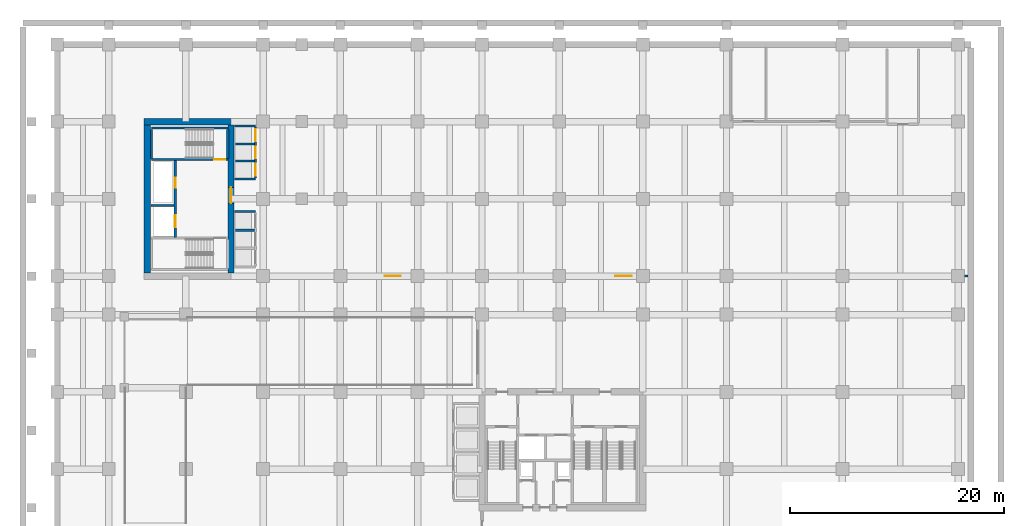
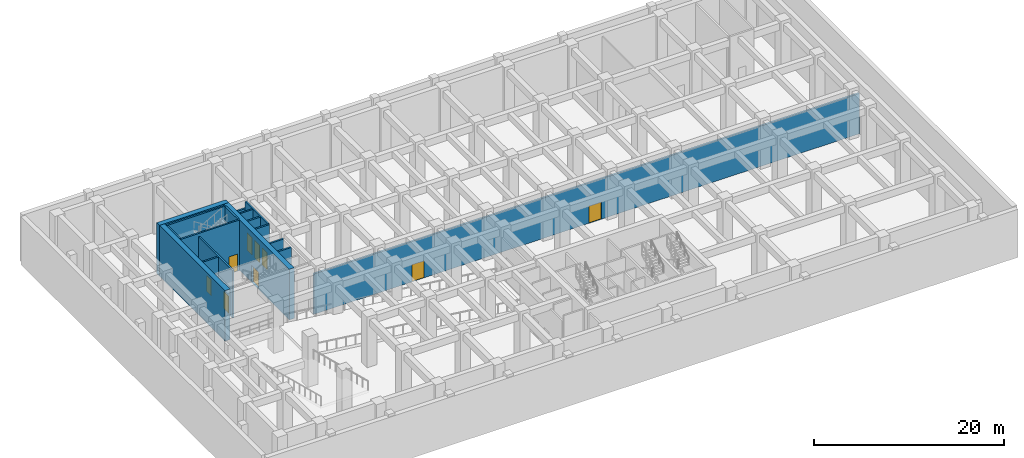
# One storey, part 6 of 13: 17 walls, 9 doors, 9 openings.
"""IFC4 building model written with IfcOpenShell, lengths in metres."""

from ifc_helpers import new_model, si_unit, derived_unit, direction, frame, frame_2d, origin, place, context, subcontext, project, spatial, rectangle, extrude, source, transform, mapped, material, layer, layer_set, type_object, type_shapes, element, fill, save


model = new_model("IFC4")

# Units and contexts
model_context = context("Model", 3, precision=1e-05, world=origin(), true_north=direction((0.0, 1.0)))
body_context = subcontext(model_context, "Body", "Model", "MODEL_VIEW")
ifc_project = project(units=[si_unit("LENGTHUNIT", "METRE"), si_unit("AREAUNIT", "SQUARE_METRE"), si_unit("VOLUMEUNIT", "CUBIC_METRE"), si_unit("PLANEANGLEUNIT", "RADIAN"), si_unit("MASSUNIT", "GRAM", prefix="KILO"), si_unit("THERMODYNAMICTEMPERATUREUNIT", "KELVIN"), si_unit("POWERUNIT", "WATT"), derived_unit("THERMALTRANSMITTANCEUNIT", [(si_unit("POWERUNIT", "WATT"), 1), (si_unit("AREAUNIT", "SQUARE_METRE"), -1), (si_unit("THERMODYNAMICTEMPERATUREUNIT", "KELVIN"), -1)])], contexts=[model_context])

# Site, building, storey
site_placement = place(None, origin())
site = spatial("IfcSite", under=ifc_project, at=site_placement, CompositionType="ELEMENT")
building_placement = place(site_placement, origin())
building = spatial("IfcBuilding", under=site, at=building_placement, Name="Zahravan Archway Hotel and Residences", CompositionType="ELEMENT")
storey_placement = place(building_placement, frame((0.0, 0.0, -6.5)))
storey = spatial("IfcBuildingStorey", under=building, at=storey_placement, Name="B01", CompositionType="ELEMENT", Elevation=-6.5)

# Walls
ifc_material_1 = material(Name="Concrete C70/85", Category="concrete")
ifc_layer_1 = layer(ifc_material_1, 0.60009765625, Name="Concrete C70/85", Category="concrete")
ifc_layer_set_1 = layer_set([ifc_layer_1], Name="Concrete C70/85")
wall_type_1 = type_object("IfcWallType", Name="CW-CORE-600", PredefinedType="SHEAR", material=ifc_layer_set_1)
wall_1_placement = place(storey_placement, frame((3.300048828125, 39.60009765625, 0.0), z_axis=(0.0, 0.0, 1.0), x_axis=(1.0, 0.0, 0.0)))
element("IfcWall", 1, at=wall_1_placement, inside=storey, type_object=wall_type_1, Name="B01 Core B Shear N Wall 600 mm", PredefinedType="SHEAR", context=body_context, shape_type="SweptSolid", body=[
    extrude(rectangle(XDim=8.39990234375, YDim=0.60009765625, at=frame_2d((4.199951171875, 0.0))), origin(), (0.0, 0.0, 1.0), 6.5),
])
wall_2_placement = place(storey_placement, frame((3.60009765625, 25.5, 0.0), z_axis=(0.0, 0.0, 1.0), x_axis=(0.0, 1.0, 0.0)))
element("IfcWall", 2, at=wall_2_placement, inside=storey, type_object=wall_type_1, Name="B01 Core B Shear W Wall 600 mm", PredefinedType="SHEAR", context=body_context, shape_type="SweptSolid", body=[
    extrude(rectangle(XDim=13.800048828125, YDim=0.60009765625, at=frame_2d((6.89990234375, 0.0))), origin(), (0.0, 0.0, 1.0), 6.5),
])

# Wall, opening, door
wall_3_placement = place(storey_placement, frame((11.39990234375, 25.5, 0.0), z_axis=(0.0, 0.0, 1.0), x_axis=(0.0, 1.0, 0.0)))
wall_3 = element("IfcWall", 3, at=wall_3_placement, inside=storey, type_object=wall_type_1, Name="B01 Core B Shear E Wall 600 mm", PredefinedType="SHEAR", context=body_context, shape_type="SweptSolid", body=[
    extrude(rectangle(XDim=13.800048828125, YDim=0.60009765625, at=frame_2d((6.89990234375, 0.0))), origin(), (0.0, 0.0, 1.0), 6.5),
])
opening_1_placement = place(wall_3_placement, frame((6.469970703125, 0.0, 0.0)))
opening_1 = element("IfcOpeningElement", 4, at=opening_1_placement, cuts=wall_3, Name="Opening FD-L1", PredefinedType="OPENING", context=body_context, shape_type="SweptSolid", body=[
    extrude(rectangle(XDim=1.5, YDim=2.199951171875, at=frame_2d((0.75, 1.10009765625))), frame((0.0, 0.31005859375, 0.0), z_axis=(0.0, -1.0, 0.0), x_axis=(1.0, 0.0, 0.0)), (0.0, 0.0, 1.0), 0.6201171875),
])
ifc_material_2 = material(Name="Fire-Rated Painted Steel", Category="steel")
door_type_1 = type_object("IfcDoorType", Name="FD-LOBBY-1500", OperationType="DOUBLE_DOOR_SINGLE_SWING", PredefinedType="DOOR", material=ifc_material_2)
shared_shape_1 = source(origin(), body_context, "Body", "SweptSolid", [
    extrude(rectangle(XDim=1.5, YDim=2.199951171875, at=frame_2d((0.75, 1.10009765625))), frame((0.0, 0.02490234375, 0.0), z_axis=(0.0, -1.0, 0.0), x_axis=(1.0, 0.0, 0.0)), (0.0, 0.0, 1.0), 0.050048828125),
])
type_shapes(door_type_1, [shared_shape_1])
door_1_placement = place(opening_1_placement, origin())
door_1 = element("IfcDoor", 5, at=door_1_placement, inside=storey, type_object=door_type_1, Name="B01 Core B FSAE Lobby Door", OperationType="DOUBLE_DOOR_SINGLE_SWING", OverallHeight=2.199951171875, OverallWidth=1.5, PredefinedType="DOOR", context=body_context, shape_type="MappedRepresentation", body=[
    mapped(shared_shape_1, transform((0.0, 0.0, 0.0), scale=1.0)),
])
fill(opening_1, door_1)

# Wall, openings, doors
ifc_material_3 = material(Name="Fire-Rated Gypsum & Concrete Block", Category="concrete")
ifc_layer_2 = layer(ifc_material_3, 0.219970703125, Name="Fire-Rated Gypsum & Concrete Block", Category="concrete")
ifc_layer_set_2 = layer_set([ifc_layer_2], Name="Fire-Rated Gypsum & Concrete Block")
wall_type_2 = type_object("IfcWallType", Name="PW-COMP-220", PredefinedType="PARTITIONING", material=ifc_layer_set_2)
wall_4_placement = place(storey_placement, frame((13.840087890625, 25.199951171875, 0.0), z_axis=(0.0, 0.0, 1.0), x_axis=(1.0, 0.0, 0.0)))
wall_4 = element("IfcWall", 6, at=wall_4_placement, inside=storey, type_object=wall_type_2, Name="B01 Partition B1-MEZ", PredefinedType="PARTITIONING", context=body_context, shape_type="SweptSolid", body=[
    extrude(rectangle(XDim=66.27685546875, YDim=0.219970703125, at=frame_2d((33.138427734375, 0.0))), origin(), (0.0, 0.0, 1.0), 5.18505859375),
])
opening_2_placement = place(wall_4_placement, frame((11.909912109375, 0.0, 0.0)))
opening_2 = element("IfcOpeningElement", 7, at=opening_2_placement, cuts=wall_4, Name="Opening FD-L1", PredefinedType="OPENING", context=body_context, shape_type="SweptSolid", body=[
    extrude(rectangle(XDim=1.5, YDim=2.199951171875, at=frame_2d((0.75, 1.10009765625))), frame((0.0, 0.1201171875, 0.0), z_axis=(0.0, -1.0, 0.0), x_axis=(1.0, 0.0, 0.0)), (0.0, 0.0, 1.0), 0.239990234375),
])
opening_3_placement = place(wall_4_placement, frame((33.409912109375, 0.0, 0.0)))
opening_3 = element("IfcOpeningElement", 8, at=opening_3_placement, cuts=wall_4, Name="Opening FD-L1", PredefinedType="OPENING", context=body_context, shape_type="SweptSolid", body=[
    extrude(rectangle(XDim=1.5, YDim=2.199951171875, at=frame_2d((0.75, 1.10009765625))), frame((0.0, 0.1201171875, 0.0), z_axis=(0.0, -1.0, 0.0), x_axis=(1.0, 0.0, 0.0)), (0.0, 0.0, 1.0), 0.239990234375),
])
door_2_placement = place(opening_2_placement, origin())
door_2 = element("IfcDoor", 9, at=door_2_placement, inside=storey, type_object=door_type_1, Name="B01 Car Park to Mezzanine West Door", OperationType="DOUBLE_DOOR_SINGLE_SWING", OverallHeight=2.199951171875, OverallWidth=1.5, PredefinedType="DOOR", context=body_context, shape_type="MappedRepresentation", body=[
    mapped(shared_shape_1, transform((0.0, 0.0, 0.0), scale=1.0)),
])
fill(opening_2, door_2)
door_3_placement = place(opening_3_placement, origin())
door_3 = element("IfcDoor", 10, at=door_3_placement, inside=storey, type_object=door_type_1, Name="B01 Car Park to Mezzanine East Door", OperationType="DOUBLE_DOOR_SINGLE_SWING", OverallHeight=2.199951171875, OverallWidth=1.5, PredefinedType="DOOR", context=body_context, shape_type="MappedRepresentation", body=[
    mapped(shared_shape_1, transform((0.0, 0.0, 0.0), scale=1.0)),
])
fill(opening_3, door_3)

ifc_layer_3 = layer(ifc_material_3, 0.199951171875, Name="Fire-Rated Gypsum & Concrete Block", Category="concrete")
ifc_layer_set_3 = layer_set([ifc_layer_3], Name="Fire-Rated Gypsum & Concrete Block")
wall_type_3 = type_object("IfcWallType", Name="PW-SHAFT-200", PredefinedType="PARTITIONING", material=ifc_layer_set_3)
wall_5_placement = place(storey_placement, frame((6.199951171875, 28.7900390625, 0.0), z_axis=(0.0, 0.0, 1.0), x_axis=(0.0, 1.0, 0.0)))
wall_5 = element("IfcWall", 11, at=wall_5_placement, inside=storey, type_object=wall_type_3, Name="B01 Partition CB-FL3E", PredefinedType="PARTITIONING", context=body_context, shape_type="SweptSolid", body=[
    extrude(rectangle(XDim=7.219970703125, YDim=0.199951171875, at=frame_2d((3.60986328125, 0.0))), origin(), (0.0, 0.0, 1.0), 6.10009765625),
])
opening_4_placement = place(wall_5_placement, frame((4.659912109375, 0.0, 0.0)))
opening_4 = element("IfcOpeningElement", 12, at=opening_4_placement, cuts=wall_5, Name="Opening FD-R1", PredefinedType="OPENING", context=body_context, shape_type="SweptSolid", body=[
    extrude(rectangle(XDim=0.89990234375, YDim=2.10009765625, at=frame_2d((0.449951171875, 1.050048828125))), frame((0.0, 0.10986328125, 0.0), z_axis=(0.0, -1.0, 0.0), x_axis=(1.0, 0.0, 0.0)), (0.0, 0.0, 1.0), 0.219970703125),
])
opening_5_placement = place(wall_5_placement, frame((0.9599609375, 0.0, 0.0)))
opening_5 = element("IfcOpeningElement", 13, at=opening_5_placement, cuts=wall_5, Name="Opening LD", PredefinedType="OPENING", context=body_context, shape_type="SweptSolid", body=[
    extrude(rectangle(XDim=1.10009765625, YDim=2.199951171875, at=frame_2d((0.550048828125, 1.10009765625))), frame((0.0, 0.10986328125, 0.0), z_axis=(0.0, -1.0, 0.0), x_axis=(1.0, 0.0, 0.0)), (0.0, 0.0, 1.0), 0.219970703125),
])
door_type_2 = type_object("IfcDoorType", Name="FD-RISER-900", OperationType="NOTDEFINED", PredefinedType="DOOR", material=ifc_material_2)
shared_shape_2 = source(origin(), body_context, "Body", "SweptSolid", [
    extrude(rectangle(XDim=0.89990234375, YDim=2.10009765625, at=frame_2d((0.449951171875, 1.050048828125))), frame((0.0, 0.02490234375, 0.0), z_axis=(0.0, -1.0, 0.0), x_axis=(1.0, 0.0, 0.0)), (0.0, 0.0, 1.0), 0.050048828125),
])
type_shapes(door_type_2, [shared_shape_2])
door_4_placement = place(opening_4_placement, origin())
door_4 = element("IfcDoor", 14, at=door_4_placement, inside=storey, type_object=door_type_2, Name="B01 Core B Riser Door", OperationType="SINGLE_SWING_LEFT", OverallHeight=2.10009765625, OverallWidth=0.89990234375, PredefinedType="DOOR", context=body_context, shape_type="MappedRepresentation", body=[
    mapped(shared_shape_2, transform((0.0, 0.0, 0.0), scale=1.0)),
])
fill(opening_4, door_4)
ifc_material_4 = material(Name="Brushed Stainless Steel", Category="steel")
door_type_3 = type_object("IfcDoorType", Name="DR-LIFT-LD", OperationType="SLIDING_TO_LEFT", PredefinedType="DOOR", material=ifc_material_4)
shared_shape_3 = source(origin(), body_context, "Body", "SweptSolid", [
    extrude(rectangle(XDim=1.10009765625, YDim=2.199951171875, at=frame_2d((0.550048828125, 1.10009765625))), frame((0.0, 0.02490234375, 0.0), z_axis=(0.0, -1.0, 0.0), x_axis=(1.0, 0.0, 0.0)), (0.0, 0.0, 1.0), 0.050048828125),
])
type_shapes(door_type_3, [shared_shape_3])
door_5_placement = place(opening_5_placement, origin())
door_5 = element("IfcDoor", 15, at=door_5_placement, inside=storey, type_object=door_type_3, Name="B01 Lift FL-3 Sliding Landing Door", OperationType="SLIDING_TO_LEFT", OverallHeight=2.199951171875, OverallWidth=1.10009765625, PredefinedType="DOOR", context=body_context, shape_type="MappedRepresentation", body=[
    mapped(shared_shape_3, transform((0.0, 0.0, 0.0), scale=1.0)),
])
fill(opening_5, door_5)

# Walls
wall_6_placement = place(storey_placement, frame((3.9599609375, 31.780029296875, 0.0), z_axis=(0.0, 0.0, 1.0), x_axis=(1.0, 0.0, 0.0)))
element("IfcWall", 16, at=wall_6_placement, inside=storey, type_object=wall_type_3, Name="B01 Partition CB-FL3N", PredefinedType="PARTITIONING", context=body_context, shape_type="SweptSolid", body=[
    extrude(rectangle(XDim=2.130126953125, YDim=0.199951171875, at=frame_2d((1.06494140625, 0.0))), origin(), (0.0, 0.0, 1.0), 6.10009765625),
])
wall_7_placement = place(storey_placement, frame((11.7099609375, 31.2099609375, 0.0), z_axis=(0.0, 0.0, 1.0), x_axis=(1.0, 0.0, 0.0)))
element("IfcWall", 17, at=wall_7_placement, inside=storey, type_object=wall_type_3, Name="B01 Partition B1-N", PredefinedType="PARTITIONING", context=body_context, shape_type="SweptSolid", body=[
    extrude(rectangle(XDim=1.9599609375, YDim=0.199951171875, at=frame_2d((0.97998046875, 0.0))), origin(), (0.0, 0.0, 1.0), 6.10009765625),
])
wall_8_placement = place(storey_placement, frame((11.81005859375, 29.469970703125, 0.0), z_axis=(0.0, 0.0, 1.0), x_axis=(1.0, 0.0, 0.0)))
element("IfcWall", 18, at=wall_8_placement, inside=storey, type_object=wall_type_3, Name="B01 Partition B1-D", PredefinedType="PARTITIONING", context=body_context, shape_type="SweptSolid", body=[
    extrude(rectangle(XDim=1.760009765625, YDim=0.199951171875, at=frame_2d((0.8798828125, 0.0))), origin(), (0.0, 0.0, 1.0), 6.10009765625),
])
wall_9_placement = place(storey_placement, frame((11.7099609375, 34.25, 0.0), z_axis=(0.0, 0.0, 1.0), x_axis=(1.0, 0.0, 0.0)))
element("IfcWall", 19, at=wall_9_placement, inside=storey, type_object=wall_type_3, Name="B01 Partition B2-S", PredefinedType="PARTITIONING", context=body_context, shape_type="SweptSolid", body=[
    extrude(rectangle(XDim=1.9599609375, YDim=0.199951171875, at=frame_2d((0.97998046875, 0.0))), origin(), (0.0, 0.0, 1.0), 6.10009765625),
])
wall_10_placement = place(storey_placement, frame((11.7099609375, 39.18994140625, 0.0), z_axis=(0.0, 0.0, 1.0), x_axis=(1.0, 0.0, 0.0)))
element("IfcWall", 20, at=wall_10_placement, inside=storey, type_object=wall_type_3, Name="B01 Partition B2-N", PredefinedType="PARTITIONING", context=body_context, shape_type="SweptSolid", body=[
    extrude(rectangle(XDim=1.9599609375, YDim=0.199951171875, at=frame_2d((0.97998046875, 0.0))), origin(), (0.0, 0.0, 1.0), 5.18505859375),
])

# Wall, openings, doors
wall_11_placement = place(storey_placement, frame((13.679931640625, 34.360107421875, 0.0), z_axis=(0.0, 0.0, 1.0), x_axis=(0.0, 1.0, 0.0)))
wall_11 = element("IfcWall", 21, at=wall_11_placement, inside=storey, type_object=wall_type_3, Name="B01 Partition B2-E", PredefinedType="PARTITIONING", context=body_context, shape_type="SweptSolid", body=[
    extrude(rectangle(XDim=4.719970703125, YDim=0.199951171875, at=frame_2d((2.35986328125, 0.0))), origin(), (0.0, 0.0, 1.0), 6.10009765625),
])
opening_6_placement = place(wall_11_placement, frame((0.2099609375, 0.0, 0.0)))
opening_6 = element("IfcOpeningElement", 22, at=opening_6_placement, cuts=wall_11, Name="Opening LD", PredefinedType="OPENING", context=body_context, shape_type="SweptSolid", body=[
    extrude(rectangle(XDim=1.10009765625, YDim=2.199951171875, at=frame_2d((0.550048828125, 1.10009765625))), frame((0.0, 0.10986328125, 0.0), z_axis=(0.0, -1.0, 0.0), x_axis=(1.0, 0.0, 0.0)), (0.0, 0.0, 1.0), 0.219970703125),
])
opening_7_placement = place(wall_11_placement, frame((1.81005859375, 0.0, 0.0)))
opening_7 = element("IfcOpeningElement", 23, at=opening_7_placement, cuts=wall_11, Name="Opening LD", PredefinedType="OPENING", context=body_context, shape_type="SweptSolid", body=[
    extrude(rectangle(XDim=1.10009765625, YDim=2.199951171875, at=frame_2d((0.550048828125, 1.10009765625))), frame((0.0, 0.10986328125, 0.0), z_axis=(0.0, -1.0, 0.0), x_axis=(1.0, 0.0, 0.0)), (0.0, 0.0, 1.0), 0.219970703125),
])
opening_8_placement = place(wall_11_placement, frame((3.409912109375, 0.0, 0.0)))
opening_8 = element("IfcOpeningElement", 24, at=opening_8_placement, cuts=wall_11, Name="Opening LD", PredefinedType="OPENING", context=body_context, shape_type="SweptSolid", body=[
    extrude(rectangle(XDim=1.10009765625, YDim=2.199951171875, at=frame_2d((0.550048828125, 1.10009765625))), frame((0.0, 0.10986328125, 0.0), z_axis=(0.0, -1.0, 0.0), x_axis=(1.0, 0.0, 0.0)), (0.0, 0.0, 1.0), 0.219970703125),
])
door_6_placement = place(opening_6_placement, origin())
door_6 = element("IfcDoor", 25, at=door_6_placement, inside=storey, type_object=door_type_3, Name="B01 Lift LP-4 Sliding Landing Door", OperationType="SLIDING_TO_LEFT", OverallHeight=2.199951171875, OverallWidth=1.10009765625, PredefinedType="DOOR", context=body_context, shape_type="MappedRepresentation", body=[
    mapped(shared_shape_3, transform((0.0, 0.0, 0.0), scale=1.0)),
])
fill(opening_6, door_6)
door_7_placement = place(opening_7_placement, origin())
door_7 = element("IfcDoor", 26, at=door_7_placement, inside=storey, type_object=door_type_3, Name="B01 Lift LP-5 Sliding Landing Door", OperationType="SLIDING_TO_LEFT", OverallHeight=2.199951171875, OverallWidth=1.10009765625, PredefinedType="DOOR", context=body_context, shape_type="MappedRepresentation", body=[
    mapped(shared_shape_3, transform((0.0, 0.0, 0.0), scale=1.0)),
])
fill(opening_7, door_7)
door_8_placement = place(opening_8_placement, origin())
door_8 = element("IfcDoor", 27, at=door_8_placement, inside=storey, type_object=door_type_3, Name="B01 Lift LP-6 Sliding Landing Door", OperationType="SLIDING_TO_LEFT", OverallHeight=2.199951171875, OverallWidth=1.10009765625, PredefinedType="DOOR", context=body_context, shape_type="MappedRepresentation", body=[
    mapped(shared_shape_3, transform((0.0, 0.0, 0.0), scale=1.0)),
])
fill(opening_8, door_8)

# Walls
for number, where, z_axis, x_axis, name in (
    (28, (11.81005859375, 35.919921875, 0.0), (0.0, 0.0, 1.0), (1.0, 0.0, 0.0), "B01 Partition B2-D"),
    (29, (11.81005859375, 37.52001953125, 0.0), (0.0, 0.0, 1.0), (1.0, 0.0, 0.0), "B01 Partition B2-D"),
):
    element("IfcWall", number, at=place(storey_placement, frame(where, z_axis=z_axis, x_axis=x_axis)), inside=storey, type_object=wall_type_3, Name=name, PredefinedType="PARTITIONING", context=body_context, shape_type="SweptSolid", body=[
        extrude(rectangle(XDim=1.760009765625, YDim=0.199951171875, at=frame_2d((0.8798828125, 0.0))), origin(), (0.0, 0.0, 1.0), 6.10009765625),
    ])
ifc_material_5 = material(Name="Concrete C50/60", Category="concrete")
ifc_layer_4 = layer(ifc_material_5, 0.199951171875, Name="Concrete C50/60", Category="concrete")
ifc_layer_set_4 = layer_set([ifc_layer_4], Name="Concrete C50/60")
wall_type_4 = type_object("IfcWallType", Name="SW-STAIR-200", PredefinedType="SHEAR", material=ifc_layer_set_4)
wall_12_placement = place(storey_placement, frame((4.0, 39.0, 0.0), z_axis=(0.0, 0.0, 1.0), x_axis=(1.0, 0.0, 0.0)))
element("IfcWall", 30, at=wall_12_placement, inside=storey, type_object=wall_type_4, Name="B01 Stairwell RC Wall CB-SB2N", PredefinedType="SHEAR", context=body_context, shape_type="SweptSolid", body=[
    extrude(rectangle(XDim=7.10009765625, YDim=0.199951171875, at=frame_2d((3.550048828125, 0.0))), origin(), (0.0, 0.0, 1.0), 6.5),
])
for number, where, z_axis, x_axis, name in (
    (31, (4.0, 36.179931640625, 0.0), (0.0, 0.0, 1.0), (0.0, 1.0, 0.0), "B01 Stairwell RC Wall CB-SB2W"),
    (32, (11.10009765625, 36.179931640625, 0.0), (0.0, 0.0, 1.0), (0.0, 1.0, 0.0), "B01 Stairwell RC Wall CB-SB2E"),
):
    element("IfcWall", number, at=place(storey_placement, frame(where, z_axis=z_axis, x_axis=x_axis)), inside=storey, type_object=wall_type_4, Name=name, PredefinedType="SHEAR", context=body_context, shape_type="SweptSolid", body=[
        extrude(rectangle(XDim=2.699951171875, YDim=0.199951171875, at=frame_2d((1.35009765625, 0.0))), origin(), (0.0, 0.0, 1.0), 6.5),
    ])

# Wall, opening, door
wall_13_placement = place(storey_placement, frame((4.0, 36.06005859375, 0.0), z_axis=(0.0, 0.0, 1.0), x_axis=(1.0, 0.0, 0.0)))
wall_13 = element("IfcWall", 33, at=wall_13_placement, inside=storey, type_object=wall_type_4, Name="B01 Stairwell RC Wall CB-SB2S", PredefinedType="SHEAR", context=body_context, shape_type="SweptSolid", body=[
    extrude(rectangle(XDim=7.10009765625, YDim=0.199951171875, at=frame_2d((3.550048828125, 0.0))), origin(), (0.0, 0.0, 1.0), 6.5),
])
opening_9_placement = place(wall_13_placement, frame((5.81494140625, 0.0, 0.0)))
opening_9 = element("IfcOpeningElement", 34, at=opening_9_placement, cuts=wall_13, Name="Opening FD-S1", PredefinedType="OPENING", context=body_context, shape_type="SweptSolid", body=[
    extrude(rectangle(XDim=1.050048828125, YDim=2.199951171875, at=frame_2d((0.52490234375, 1.10009765625))), frame((0.0, 0.10986328125, 0.0), z_axis=(0.0, -1.0, 0.0), x_axis=(1.0, 0.0, 0.0)), (0.0, 0.0, 1.0), 0.219970703125),
])
door_type_4 = type_object("IfcDoorType", Name="FD-STAIR-1100", OperationType="NOTDEFINED", PredefinedType="DOOR", material=ifc_material_2)
shared_shape_4 = source(origin(), body_context, "Body", "SweptSolid", [
    extrude(rectangle(XDim=1.050048828125, YDim=2.199951171875, at=frame_2d((0.52490234375, 1.10009765625))), frame((0.0, 0.02490234375, 0.0), z_axis=(0.0, -1.0, 0.0), x_axis=(1.0, 0.0, 0.0)), (0.0, 0.0, 1.0), 0.050048828125),
])
type_shapes(door_type_4, [shared_shape_4])
door_9_placement = place(opening_9_placement, origin())
door_9 = element("IfcDoor", 35, at=door_9_placement, inside=storey, type_object=door_type_4, Name="B01 Stair ST-B2 Door", OperationType="SINGLE_SWING_RIGHT", OverallHeight=2.199951171875, OverallWidth=1.050048828125, PredefinedType="DOOR", context=body_context, shape_type="MappedRepresentation", body=[
    mapped(shared_shape_4, transform((0.0, 0.0, 0.0), scale=1.0)),
])
fill(opening_9, door_9)

save(model, "model.ifc")
